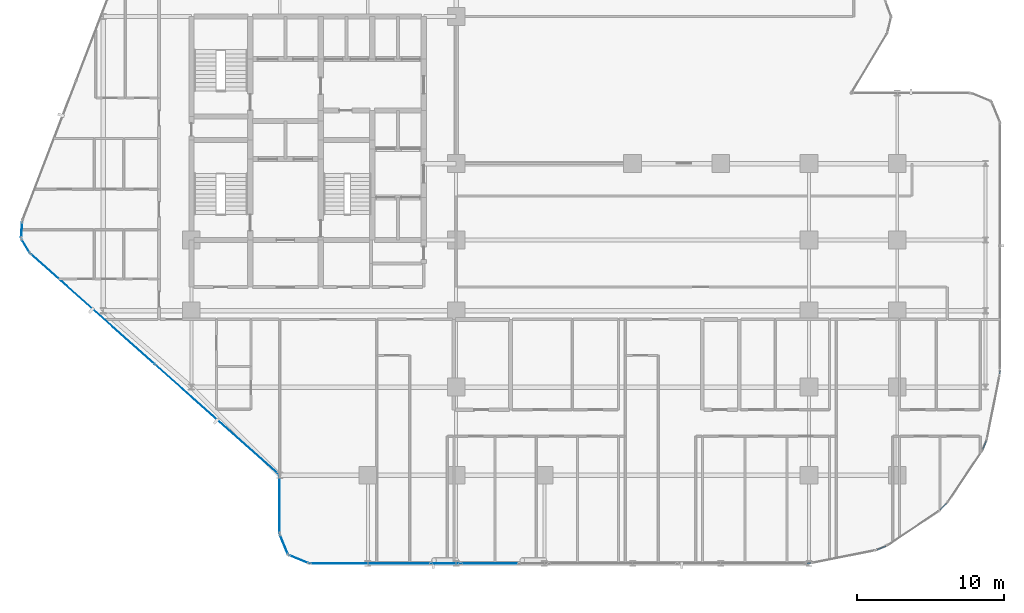
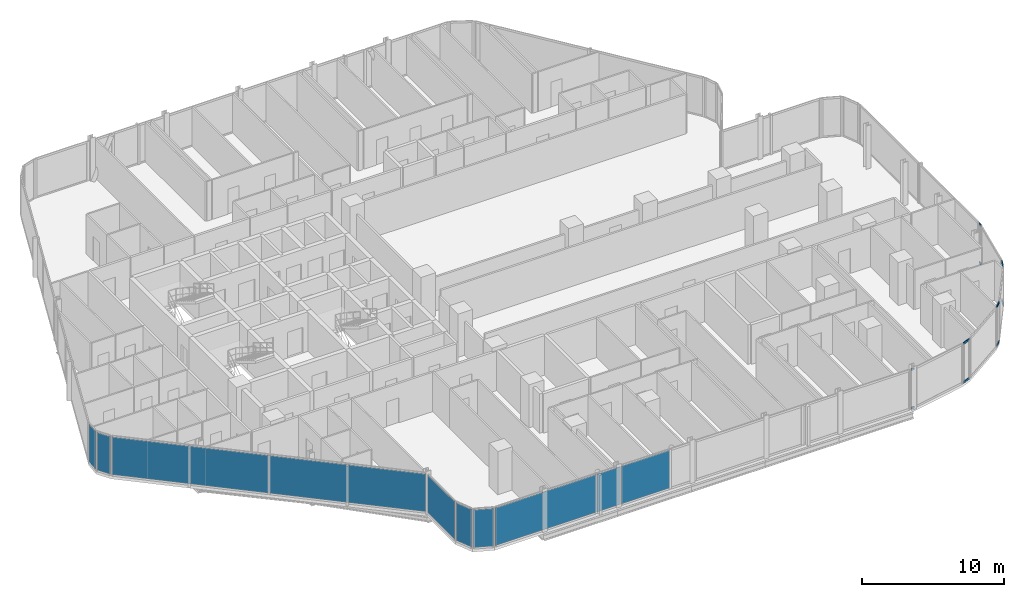
# One storey, part 20 of 34: 10 members, 10 plates, 14 elements without a shape of their own.
"""IFC4 building model written with IfcOpenShell, lengths in metres."""

import ifcopenshell
import ifcopenshell.guid

model = None  # the IFC model being written
_history = None  # IfcOwnerHistory: only IFC2X3 demands one
_inside = {}  # id of a spatial element -> (the spatial element, [elements in it])
_under = {}  # id of a project, library or spatial element -> (it, [spatial elements below it])
_declared = {}  # id of a project -> (the project, [libraries it declares])
_typed = {}  # id of a type object -> (the type object, [elements of that type])
_made_of = {}  # id of a material, layer set ... -> (it, [elements and type objects made of it])


def new_model(schema):
    """Start an empty IFC model of exactly this schema.

    Asked for "IFC4X3", IfcOpenShell would pick the latest addendum, in which some entities
    have other attributes; the version numbers below select the first issue.
    IFC2X3 requires an IfcOwnerHistory on every rooted entity: one is made here for all.
    """
    global model, _history
    if schema == "IFC4X3":
        model = ifcopenshell.file(schema_version=(4, 3, 0, 0))
    else:
        model = ifcopenshell.file(schema=schema)
    _inside.clear()
    _under.clear()
    _declared.clear()
    _typed.clear()
    _made_of.clear()
    _history = None
    if model.schema == "IFC2X3":
        org = make("IfcOrganization", Name="unknown")
        user = make(
            "IfcPersonAndOrganization",
            ThePerson=make("IfcPerson", FamilyName="unknown"),
            TheOrganization=org,
        )
        app = make(
            "IfcApplication",
            ApplicationDeveloper=org,
            Version="unknown",
            ApplicationFullName="unknown",
            ApplicationIdentifier="unknown",
        )
        _history = make(
            "IfcOwnerHistory",
            OwningUser=user,
            OwningApplication=app,
            ChangeAction="ADDED",
            CreationDate=0,
        )
    return model


def make(cls, **values):
    """One entity of the class cls with the attributes given. An attribute that is None is left unset."""
    return model.create_entity(
        cls, **{name: value for name, value in values.items() if value is not None}
    )


def rooted(cls, **values):
    """An entity with a GlobalId (a new one), such as an element, a storey or a relation."""
    return make(cls, GlobalId=ifcopenshell.guid.new(), OwnerHistory=_history, **values)


def si_unit(unit_type, name, prefix=None):
    """IfcSIUnit, for example si_unit("LENGTHUNIT", "METRE", prefix="MILLI")."""
    return make("IfcSIUnit", UnitType=unit_type, Prefix=prefix, Name=name)


def assignment(units):
    """IfcUnitAssignment: the units of a project."""
    return None if units is None else make("IfcUnitAssignment", Units=units)


def point(xyz):
    """IfcCartesianPoint."""
    return None if xyz is None else make("IfcCartesianPoint", Coordinates=xyz)


def direction(xyz):
    """IfcDirection."""
    return None if xyz is None else make("IfcDirection", DirectionRatios=xyz)


def frame(location, z_axis=None, x_axis=None):
    """IfcAxis2Placement3D, a coordinate frame: its origin and axes. An axis left out is left unset."""
    return make(
        "IfcAxis2Placement3D",
        Location=point(location),
        Axis=direction(z_axis),
        RefDirection=direction(x_axis),
    )


def frame_2d(location, x_axis=None):
    """IfcAxis2Placement2D, a coordinate frame in the plane: its origin and x axis."""
    return make(
        "IfcAxis2Placement2D", Location=point(location), RefDirection=direction(x_axis)
    )


def origin():
    """The frame at (0, 0, 0) with its axes left unset."""
    return frame((0.0, 0.0, 0.0))


def origin_2d():
    """The frame at (0, 0) in the plane with its x axis left unset."""
    return frame_2d((0.0, 0.0))


def place(relative_to, where):
    """IfcLocalPlacement: puts the frame where relative to a parent placement (None: the world)."""
    return make(
        "IfcLocalPlacement", PlacementRelTo=relative_to, RelativePlacement=where
    )


def context(
    kind, dimensions, precision=None, world=None, true_north=None, identifier=None
):
    """IfcGeometricRepresentationContext, for example the 3D "Model" context."""
    return make(
        "IfcGeometricRepresentationContext",
        ContextIdentifier=identifier,
        ContextType=kind,
        CoordinateSpaceDimension=dimensions,
        Precision=precision,
        WorldCoordinateSystem=world,
        TrueNorth=true_north,
    )


def subcontext(parent, identifier, kind, view, scale=None):
    """IfcGeometricRepresentationSubContext, for example "Body" below "Model"."""
    return make(
        "IfcGeometricRepresentationSubContext",
        ContextIdentifier=identifier,
        ContextType=kind,
        ParentContext=parent,
        TargetScale=scale,
        TargetView=view,
    )


def project(units=None, contexts=None):
    """IfcProject with its units and contexts."""
    return rooted(
        "IfcProject",
        Name="project",
        RepresentationContexts=contexts,
        UnitsInContext=assignment(units),
    )


def spatial(cls, under=None, at=None, **own):
    """A site, building, storey or space (cls), placed at a placement, below another one or the project."""
    s = rooted(cls, ObjectPlacement=at, **own)
    if under is not None:
        _under.setdefault(under.id(), (under, []))[1].append(s)
    return s


def profile(cls, at=None, kind="AREA", **sizes):
    """A parametric profile (cls). Its sizes go by their IFC names, for example OverallWidth=200.0."""
    return make(cls, ProfileType=kind, Position=at, **sizes)


def rectangle(**sizes):
    """IfcRectangleProfileDef."""
    return profile("IfcRectangleProfileDef", **sizes)


def hollow_rectangle(**sizes):
    """IfcRectangleHollowProfileDef."""
    return profile("IfcRectangleHollowProfileDef", **sizes)


def extrude(swept, where, along, depth):
    """IfcExtrudedAreaSolid: the profile swept, set in the frame where, extruded along a direction by depth."""
    return make(
        "IfcExtrudedAreaSolid",
        SweptArea=swept,
        Position=where,
        ExtrudedDirection=direction(along),
        Depth=depth,
    )


def shape(context_of_items, identifier, shape_type, items):
    """IfcShapeRepresentation: the items that make up one representation, for example the "Body"."""
    return make(
        "IfcShapeRepresentation",
        ContextOfItems=context_of_items,
        RepresentationIdentifier=identifier,
        RepresentationType=shape_type,
        Items=items,
    )


def material(Name=None, Category=None):
    """IfcMaterial."""
    return make("IfcMaterial", Name=Name, Category=Category)


def layer(
    of_material, thickness, ventilated=None, Name=None, Category=None, Priority=None
):
    """IfcMaterialLayer: one layer of a wall or slab, of a material (None: an air gap)."""
    return make(
        "IfcMaterialLayer",
        Material=of_material,
        LayerThickness=thickness,
        IsVentilated=ventilated,
        Name=Name,
        Category=Category,
        Priority=Priority,
    )


def layer_set(layers, Name=None):
    """IfcMaterialLayerSet."""
    return make("IfcMaterialLayerSet", MaterialLayers=layers, LayerSetName=Name)


def material_profile(
    of_material, cross_section, Name=None, Category=None, Priority=None
):
    """IfcMaterialProfile: a cross section and its material."""
    return make(
        "IfcMaterialProfile",
        Name=Name,
        Material=of_material,
        Profile=cross_section,
        Priority=Priority,
        Category=Category,
    )


def profile_set(profiles, Name=None, composite=None):
    """IfcMaterialProfileSet."""
    return make(
        "IfcMaterialProfileSet",
        Name=Name,
        MaterialProfiles=profiles,
        CompositeProfile=composite,
    )


def made_of(thing, what):
    """Note that an element or type object is made of a material, layer set ...; save() writes the relation."""
    if what is not None:
        _made_of.setdefault(what.id(), (what, []))[1].append(thing)
    return thing


def type_object(cls, material=None, **own):
    """A type object (cls), such as IfcWallType, which elements share."""
    return made_of(rooted(cls, **own), material)


def element(
    cls,
    number,
    at=None,
    inside=None,
    cuts=None,
    type_object=None,
    material=None,
    context=None,
    identifier="Body",
    shape_type=None,
    held_by="IfcProductDefinitionShape",
    body=None,
    shapes=None,
    **own,
):
    """One element of the class cls, such as IfcWall. Its Tag is "e" and its number.

    at: its placement. inside: the storey or other place that contains it. cuts: it is an
    opening in that element (IfcRelVoidsElement). A single representation is given by context,
    identifier, shape_type and body (its items); several are given by shapes. held_by: the class
    of the entity that holds the representations. save() writes the other relations.
    """
    e = rooted(cls, Tag="e%d" % number, ObjectPlacement=at, **own)
    if body is not None:
        shapes = [shape(context, identifier, shape_type, body)]
    if shapes is not None:
        e.Representation = make(held_by, Representations=shapes)
    if inside is not None:
        _inside.setdefault(inside.id(), (inside, []))[1].append(e)
    if cuts is not None:
        rooted(
            "IfcRelVoidsElement", RelatingBuildingElement=cuts, RelatedOpeningElement=e
        )
    if type_object is not None:
        _typed.setdefault(type_object.id(), (type_object, []))[1].append(e)
    return made_of(e, material)


def aggregate(whole, parts):
    """IfcRelAggregates: a whole, such as a stair, and the parts it consists of."""
    return rooted("IfcRelAggregates", RelatingObject=whole, RelatedObjects=parts)


def save(model, path):
    """Write the relations noted so far, then the file.

    IfcRelAggregates (storeys below a building ...), IfcRelContainedInSpatialStructure (elements
    in a storey), IfcRelDefinesByType, IfcRelAssociatesMaterial and IfcRelDeclares: one each for
    every whole, place, type object, material and project.
    """
    for whole, parts in _under.values():
        aggregate(whole, parts)
    for where, things in _inside.values():
        rooted(
            "IfcRelContainedInSpatialStructure",
            RelatedElements=things,
            RelatingStructure=where,
        )
    for kind, things in _typed.values():
        rooted("IfcRelDefinesByType", RelatedObjects=things, RelatingType=kind)
    for what, things in _made_of.values():
        rooted("IfcRelAssociatesMaterial", RelatedObjects=things, RelatingMaterial=what)
    for by, libraries in _declared.values():
        rooted("IfcRelDeclares", RelatingContext=by, RelatedDefinitions=libraries)
    model.write(path)


model = new_model("IFC4")

# Units and contexts
model_context = context("Model", 3, precision=1e-05, world=origin(), true_north=direction((0.0, 1.0)))
body_context = subcontext(model_context, "Body", "Model", "MODEL_VIEW")
ifc_project = project(units=[si_unit("LENGTHUNIT", "METRE"), si_unit("AREAUNIT", "SQUARE_METRE"), si_unit("VOLUMEUNIT", "CUBIC_METRE"), si_unit("PLANEANGLEUNIT", "RADIAN"), si_unit("MASSUNIT", "GRAM", prefix="KILO")], contexts=[model_context])

# Site, building, storey
site_placement = place(None, origin())
site = spatial("IfcSite", under=ifc_project, at=site_placement, CompositionType="ELEMENT")
building_placement = place(site_placement, origin())
building = spatial("IfcBuilding", under=site, at=building_placement, Name="Keshet Zoharim Tower", CompositionType="ELEMENT")
storey_placement = place(building_placement, frame((0.0, 0.0, 53.60009765625)))
storey = spatial("IfcBuildingStorey", under=building, at=storey_placement, Name="L12", CompositionType="ELEMENT", Elevation=53.60009765625)

# Curtain wall, members
ifc_material_1 = material(Name="Aluminium 6063-T6", Category="aluminium")
ifc_layer_1 = layer(ifc_material_1, 0.169921875)
ifc_layer_set_1 = layer_set([ifc_layer_1], Name="Aluminium 6063-T6")
curtain_wall_type_1 = type_object("IfcCurtainWallType", Name="CW-SYS-02", PredefinedType="NOTDEFINED", material=ifc_layer_set_1)
curtain_wall_1_placement = place(storey_placement, origin())
curtain_wall_1 = element("IfcCurtainWall", 1, at=curtain_wall_1_placement, inside=storey, type_object=curtain_wall_type_1, Name="L12 Unitised Curtain Wall 17", PredefinedType="NOTDEFINED")
ifc_material_profile = material_profile(ifc_material_1, hollow_rectangle(XDim=0.0849609375, YDim=0.159912109375, WallThickness=0.00439453125, at=origin_2d()), Name="TRN-85x160")
ifc_profile_set = profile_set([ifc_material_profile], Name="Aluminium 6063-T6")
member_type = type_object("IfcMemberType", Name="CWT-T16", PredefinedType="USERDEFINED", material=ifc_profile_set)
member_1_placement = place(storey_placement, frame((69.9931640625, 13.827392578125, 0.034912109375), z_axis=(-0.096912647607, -0.995292890929, 0.0), x_axis=(0.995292890929, -0.096912647607, 0.0)))
member_1 = element("IfcMember", 2, at=member_1_placement, type_object=member_type, Name="CW-02 transom 1.1", ObjectType="TRANSOM", PredefinedType="USERDEFINED", context=body_context, shape_type="SweptSolid", body=[
    extrude(hollow_rectangle(XDim=0.0849609375, YDim=0.159912109375, WallThickness=0.00439453125, at=origin_2d()), origin(), (0.0, 0.0, 1.0), 0.251953125),
])
member_2_placement = place(storey_placement, frame((69.9931640625, 13.827392578125, 3.349853515625), z_axis=(-0.096912647607, -0.995292890929, 0.0), x_axis=(0.995292890929, -0.096912647607, 0.0)))
member_2 = element("IfcMember", 3, at=member_2_placement, type_object=member_type, Name="CW-02 transom 1.2", ObjectType="TRANSOM", PredefinedType="USERDEFINED", context=body_context, shape_type="SweptSolid", body=[
    extrude(hollow_rectangle(XDim=0.0849609375, YDim=0.159912109375, WallThickness=0.00439453125, at=origin_2d()), origin(), (0.0, 0.0, 1.0), 0.251953125),
])
aggregate(curtain_wall_1, [member_1, member_2])

ifc_layer_2 = layer(ifc_material_1, 0.179931640625)
ifc_layer_set_2 = layer_set([ifc_layer_2], Name="Aluminium 6063-T6")
curtain_wall_type_2 = type_object("IfcCurtainWallType", Name="CW-SYS-01", PredefinedType="NOTDEFINED", material=ifc_layer_set_2)
curtain_wall_2_placement = place(storey_placement, origin())
curtain_wall_2 = element("IfcCurtainWall", 4, at=curtain_wall_2_placement, inside=storey, type_object=curtain_wall_type_2, Name="L12 Unitised Curtain Wall 19", PredefinedType="NOTDEFINED")
member_3_placement = place(storey_placement, frame((69.061279296875, 9.05029296875, 0.034912109375), z_axis=(-0.383126096215, -0.923696050874, 0.0), x_axis=(0.923696050874, -0.383126096215, 0.0)))
member_3 = element("IfcMember", 5, at=member_3_placement, type_object=member_type, Name="CW-01 transom 1.1", ObjectType="TRANSOM", PredefinedType="USERDEFINED", context=body_context, shape_type="SweptSolid", body=[
    extrude(hollow_rectangle(XDim=0.0849609375, YDim=0.159912109375, WallThickness=0.00439453125, at=origin_2d()), origin(), (0.0, 0.0, 1.0), 0.640380859375),
])
member_4_placement = place(storey_placement, frame((69.061279296875, 9.05029296875, 3.349853515625), z_axis=(-0.383126096215, -0.923696050874, 0.0), x_axis=(0.923696050874, -0.383126096215, 0.0)))
member_4 = element("IfcMember", 6, at=member_4_placement, type_object=member_type, Name="CW-01 transom 1.2", ObjectType="TRANSOM", PredefinedType="USERDEFINED", context=body_context, shape_type="SweptSolid", body=[
    extrude(hollow_rectangle(XDim=0.0849609375, YDim=0.159912109375, WallThickness=0.00439453125, at=origin_2d()), origin(), (0.0, 0.0, 1.0), 0.640380859375),
])
aggregate(curtain_wall_2, [member_3, member_4])

curtain_wall_3_placement = place(storey_placement, origin())
curtain_wall_3 = element("IfcCurtainWall", 7, at=curtain_wall_3_placement, inside=storey, type_object=curtain_wall_type_2, Name="L12 Unitised Curtain Wall 21", PredefinedType="NOTDEFINED")
member_5_placement = place(storey_placement, frame((66.363525390625, 4.78857421875, 0.034912109375), z_axis=(-0.707106781187, -0.707106781187, 0.0), x_axis=(0.707106781187, -0.707106781187, 0.0)))
member_5 = element("IfcMember", 8, at=member_5_placement, type_object=member_type, Name="CW-01 transom 1.1", ObjectType="TRANSOM", PredefinedType="USERDEFINED", context=body_context, shape_type="SweptSolid", body=[
    extrude(hollow_rectangle(XDim=0.0849609375, YDim=0.159912109375, WallThickness=0.00439453125, at=origin_2d()), origin(), (0.0, 0.0, 1.0), 0.639404296875),
])
member_6_placement = place(storey_placement, frame((66.363525390625, 4.78857421875, 3.349853515625), z_axis=(-0.707106781187, -0.707106781187, 0.0), x_axis=(0.707106781187, -0.707106781187, 0.0)))
member_6 = element("IfcMember", 9, at=member_6_placement, type_object=member_type, Name="CW-01 transom 1.2", ObjectType="TRANSOM", PredefinedType="USERDEFINED", context=body_context, shape_type="SweptSolid", body=[
    extrude(hollow_rectangle(XDim=0.0849609375, YDim=0.159912109375, WallThickness=0.00439453125, at=origin_2d()), origin(), (0.0, 0.0, 1.0), 0.639404296875),
])
aggregate(curtain_wall_3, [member_5, member_6])

curtain_wall_4_placement = place(storey_placement, origin())
curtain_wall_4 = element("IfcCurtainWall", 10, at=curtain_wall_4_placement, inside=storey, type_object=curtain_wall_type_2, Name="L12 Unitised Curtain Wall 23", PredefinedType="NOTDEFINED")
member_7_placement = place(storey_placement, frame((62.241455078125, 1.88427734375, 0.034912109375), z_axis=(-0.923751978938, -0.382991228891, 0.0), x_axis=(0.382991228891, -0.923751978938, 0.0)))
member_7 = element("IfcMember", 11, at=member_7_placement, type_object=member_type, Name="CW-01 transom 1.1", ObjectType="TRANSOM", PredefinedType="USERDEFINED", context=body_context, shape_type="SweptSolid", body=[
    extrude(hollow_rectangle(XDim=0.0849609375, YDim=0.159912109375, WallThickness=0.00439453125, at=origin_2d()), origin(), (0.0, 0.0, 1.0), 0.640625),
])
member_8_placement = place(storey_placement, frame((62.241455078125, 1.88427734375, 3.349853515625), z_axis=(-0.923751978938, -0.382991228891, 0.0), x_axis=(0.382991228891, -0.923751978938, 0.0)))
member_8 = element("IfcMember", 12, at=member_8_placement, type_object=member_type, Name="CW-01 transom 1.2", ObjectType="TRANSOM", PredefinedType="USERDEFINED", context=body_context, shape_type="SweptSolid", body=[
    extrude(hollow_rectangle(XDim=0.0849609375, YDim=0.159912109375, WallThickness=0.00439453125, at=origin_2d()), origin(), (0.0, 0.0, 1.0), 0.640625),
])
aggregate(curtain_wall_4, [member_7, member_8])

curtain_wall_5_placement = place(storey_placement, origin())
curtain_wall_5 = element("IfcCurtainWall", 13, at=curtain_wall_5_placement, inside=storey, type_object=curtain_wall_type_2, Name="L12 Unitised Curtain Wall 25", PredefinedType="NOTDEFINED")
member_9_placement = place(storey_placement, frame((57.123291015625, 0.731201171875, 0.034912109375), z_axis=(-0.995292890929, -0.096912647607, 0.0), x_axis=(0.096912647607, -0.995292890929, 0.0)))
member_9 = element("IfcMember", 14, at=member_9_placement, type_object=member_type, Name="CW-01 transom 1.1", ObjectType="TRANSOM", PredefinedType="USERDEFINED", context=body_context, shape_type="SweptSolid", body=[
    extrude(hollow_rectangle(XDim=0.0849609375, YDim=0.159912109375, WallThickness=0.00439453125, at=origin_2d()), origin(), (0.0, 0.0, 1.0), 0.251953125),
])
member_10_placement = place(storey_placement, frame((57.123291015625, 0.731201171875, 3.349853515625), z_axis=(-0.995292890929, -0.096912647607, 0.0), x_axis=(0.096912647607, -0.995292890929, 0.0)))
member_10 = element("IfcMember", 15, at=member_10_placement, type_object=member_type, Name="CW-01 transom 1.2", ObjectType="TRANSOM", PredefinedType="USERDEFINED", context=body_context, shape_type="SweptSolid", body=[
    extrude(hollow_rectangle(XDim=0.0849609375, YDim=0.159912109375, WallThickness=0.00439453125, at=origin_2d()), origin(), (0.0, 0.0, 1.0), 0.251953125),
])
aggregate(curtain_wall_5, [member_9, member_10])

# Curtain wall, plates
curtain_wall_6_placement = place(storey_placement, origin())
curtain_wall_6 = element("IfcCurtainWall", 16, at=curtain_wall_6_placement, inside=storey, type_object=curtain_wall_type_2, Name="L12 Unitised Curtain Wall 01", PredefinedType="NOTDEFINED")
ifc_material_2 = material(Name="Insulated Low-E Clear Glass", Category="glass")
ifc_layer_3 = layer(ifc_material_2, 0.035888671875)
ifc_layer_set_3 = layer_set([ifc_layer_3], Name="Insulated Low-E Clear Glass")
plate_type_1 = type_object("IfcPlateType", Name="CWP-01", PredefinedType="CURTAIN_PANEL", material=ifc_layer_set_3)
plate_1_placement = place(storey_placement, frame((16.74560546875, 10.481689453125, 0.06982421875), z_axis=(0.0, 0.0, 1.0), x_axis=(-0.747409318679, 0.664363838836, 0.0)))
plate_1 = element("IfcPlate", 17, at=plate_1_placement, type_object=plate_type_1, Name="CW-01 panel 1.1", PredefinedType="CURTAIN_PANEL", context=body_context, shape_type="SweptSolid", body=[
    extrude(rectangle(XDim=11.244140625, YDim=0.035888671875, at=origin_2d()), origin(), (0.0, 0.0, 1.0), 3.2451171875),
])
plate_2_placement = place(storey_placement, frame((8.289306640625, 17.998291015625, 0.06982421875), z_axis=(0.0, 0.0, 1.0), x_axis=(-0.747409318679, 0.664363838836, 0.0)))
plate_2 = element("IfcPlate", 18, at=plate_2_placement, type_object=plate_type_1, Name="CW-01 panel 2.1", PredefinedType="CURTAIN_PANEL", context=body_context, shape_type="SweptSolid", body=[
    extrude(rectangle(XDim=11.244140625, YDim=0.035888671875, at=origin_2d()), origin(), (0.0, 0.0, 1.0), 3.2451171875),
])
aggregate(curtain_wall_6, [plate_1, plate_2])

# Curtain wall, plate
curtain_wall_7_placement = place(storey_placement, origin())
curtain_wall_7 = element("IfcCurtainWall", 19, at=curtain_wall_7_placement, inside=storey, type_object=curtain_wall_type_2, Name="L12 Unitised Curtain Wall 02", PredefinedType="NOTDEFINED")
plate_3_placement = place(storey_placement, frame((3.7275390625, 22.291015625, 0.06982421875), z_axis=(0.0, 0.0, 1.0), x_axis=(-0.515604947933, 0.856826433805, 0.0)))
plate_3 = element("IfcPlate", 20, at=plate_3_placement, type_object=plate_type_1, Name="CW-01 panel 1.1", PredefinedType="CURTAIN_PANEL", context=body_context, shape_type="SweptSolid", body=[
    extrude(rectangle(XDim=1.052734375, YDim=0.035888671875, at=origin_2d()), origin(), (0.0, 0.0, 1.0), 3.2451171875),
])
aggregate(curtain_wall_7, [plate_3])

curtain_wall_8_placement = place(storey_placement, origin())
curtain_wall_8 = element("IfcCurtainWall", 21, at=curtain_wall_8_placement, inside=storey, type_object=curtain_wall_type_2, Name="L12 Unitised Curtain Wall 03", PredefinedType="NOTDEFINED")
plate_4_placement = place(storey_placement, frame((3.45849609375, 23.3974609375, 0.06982421875), z_axis=(0.0, 0.0, 1.0), x_axis=(0.064516859374, 0.997916617186, 0.0)))
plate_4 = element("IfcPlate", 22, at=plate_4_placement, type_object=plate_type_1, Name="CW-01 panel 1.1", PredefinedType="CURTAIN_PANEL", context=body_context, shape_type="SweptSolid", body=[
    extrude(rectangle(XDim=1.053466796875, YDim=0.035888671875, at=origin_2d()), origin(), (0.0, 0.0, 1.0), 3.2451171875),
])
aggregate(curtain_wall_8, [plate_4])

curtain_wall_9_placement = place(storey_placement, origin())
curtain_wall_9 = element("IfcCurtainWall", 23, at=curtain_wall_9_placement, inside=storey, type_object=curtain_wall_type_2, Name="L12 Unitised Curtain Wall 26 Part 3", PredefinedType="NOTDEFINED")
plate_5_placement = place(storey_placement, frame((35.284912109375, 0.699951171875, 0.06982421875), z_axis=(0.0, 0.0, 1.0), x_axis=(-1.0, 0.0, 0.0)))
plate_5 = element("IfcPlate", 24, at=plate_5_placement, type_object=plate_type_1, Name="CW-01 panel 1.1", PredefinedType="CURTAIN_PANEL", context=body_context, shape_type="SweptSolid", body=[
    extrude(rectangle(XDim=3.90478515625, YDim=0.035888671875, at=origin_2d()), origin(), (0.0, 0.0, 1.0), 3.2451171875),
])
aggregate(curtain_wall_9, [plate_5])

curtain_wall_10_placement = place(storey_placement, origin())
curtain_wall_10 = element("IfcCurtainWall", 25, at=curtain_wall_10_placement, inside=storey, type_object=curtain_wall_type_2, Name="L12 Unitised Curtain Wall 26 Part 5", PredefinedType="NOTDEFINED")
plate_6_placement = place(storey_placement, frame((27.15380859375, 0.699951171875, 0.06982421875), z_axis=(0.0, 0.0, 1.0), x_axis=(-1.0, 0.0, 0.0)))
plate_6 = element("IfcPlate", 26, at=plate_6_placement, type_object=plate_type_1, Name="CW-01 panel 1.1", PredefinedType="CURTAIN_PANEL", context=body_context, shape_type="SweptSolid", body=[
    extrude(rectangle(XDim=8.16748046875, YDim=0.035888671875, at=origin_2d()), origin(), (0.0, 0.0, 1.0), 3.2451171875),
])
aggregate(curtain_wall_10, [plate_6])

curtain_wall_11_placement = place(storey_placement, origin())
curtain_wall_11 = element("IfcCurtainWall", 27, at=curtain_wall_11_placement, inside=storey, type_object=curtain_wall_type_2, Name="L12 Unitised Curtain Wall 27", PredefinedType="NOTDEFINED")
plate_7_placement = place(storey_placement, frame((22.29296875, 0.992919921875, 0.06982421875), z_axis=(0.0, 0.0, 1.0), x_axis=(-0.92380975372, 0.382851849847, 0.0)))
plate_7 = element("IfcPlate", 28, at=plate_7_placement, type_object=plate_type_1, Name="CW-01 panel 1.1", PredefinedType="CURTAIN_PANEL", context=body_context, shape_type="SweptSolid", body=[
    extrude(rectangle(XDim=1.390625, YDim=0.035888671875, at=origin_2d()), origin(), (0.0, 0.0, 1.0), 3.2451171875),
])
aggregate(curtain_wall_11, [plate_7])

curtain_wall_12_placement = place(storey_placement, origin())
curtain_wall_12 = element("IfcCurtainWall", 29, at=curtain_wall_12_placement, inside=storey, type_object=curtain_wall_type_2, Name="L12 Unitised Curtain Wall 28", PredefinedType="NOTDEFINED")
plate_8_placement = place(storey_placement, frame((21.29296875, 1.992919921875, 0.06982421875), z_axis=(0.0, 0.0, 1.0), x_axis=(-0.382851849847, 0.92380975372, 0.0)))
plate_8 = element("IfcPlate", 30, at=plate_8_placement, type_object=plate_type_1, Name="CW-01 panel 1.1", PredefinedType="CURTAIN_PANEL", context=body_context, shape_type="SweptSolid", body=[
    extrude(rectangle(XDim=1.390625, YDim=0.035888671875, at=origin_2d()), origin(), (0.0, 0.0, 1.0), 3.2451171875),
])
aggregate(curtain_wall_12, [plate_8])

curtain_wall_13_placement = place(storey_placement, origin())
curtain_wall_13 = element("IfcCurtainWall", 31, at=curtain_wall_13_placement, inside=storey, type_object=curtain_wall_type_2, Name="L12 Unitised Curtain Wall 29", PredefinedType="NOTDEFINED")
plate_9_placement = place(storey_placement, frame((21.0, 4.699951171875, 0.06982421875), z_axis=(0.0, 0.0, 1.0), x_axis=(0.0, 1.0, 0.0)))
plate_9 = element("IfcPlate", 32, at=plate_9_placement, type_object=plate_type_1, Name="CW-01 panel 1.1", PredefinedType="CURTAIN_PANEL", context=body_context, shape_type="SweptSolid", body=[
    extrude(rectangle(XDim=3.860107421875, YDim=0.035888671875, at=origin_2d()), origin(), (0.0, 0.0, 1.0), 3.2451171875),
])
aggregate(curtain_wall_13, [plate_9])

curtain_wall_14_placement = place(storey_placement, origin())
curtain_wall_14 = element("IfcCurtainWall", 33, at=curtain_wall_14_placement, inside=storey, type_object=curtain_wall_type_2, Name="L12 Unitised Curtain Wall 26 Part 4", PredefinedType="NOTDEFINED")
ifc_material_3 = material(Name="Insulated Aluminium Spandrel Panel", Category="aluminium")
ifc_layer_4 = layer(ifc_material_3, 0.035888671875)
ifc_layer_set_4 = layer_set([ifc_layer_4], Name="Insulated Aluminium Spandrel Panel")
plate_type_2 = type_object("IfcPlateType", Name="CWP-04", PredefinedType="CURTAIN_PANEL", material=ifc_layer_set_4)
plate_10_placement = place(storey_placement, frame((32.284912109375, 0.699951171875, 0.06982421875), z_axis=(0.0, 0.0, 1.0), x_axis=(-1.0, 0.0, 0.0)))
plate_10 = element("IfcPlate", 34, at=plate_10_placement, type_object=plate_type_2, Name="CW-01 spandrel panel 1.1", PredefinedType="CURTAIN_PANEL", context=body_context, shape_type="SweptSolid", body=[
    extrude(rectangle(XDim=1.955078125, YDim=0.035888671875, at=origin_2d()), origin(), (0.0, 0.0, 1.0), 3.2451171875),
])
aggregate(curtain_wall_14, [plate_10])

save(model, "model.ifc")
